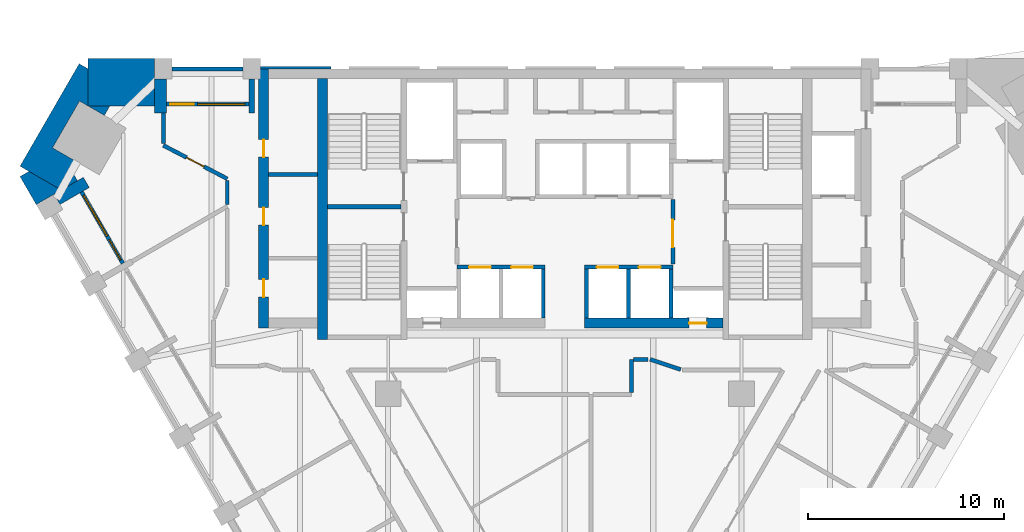
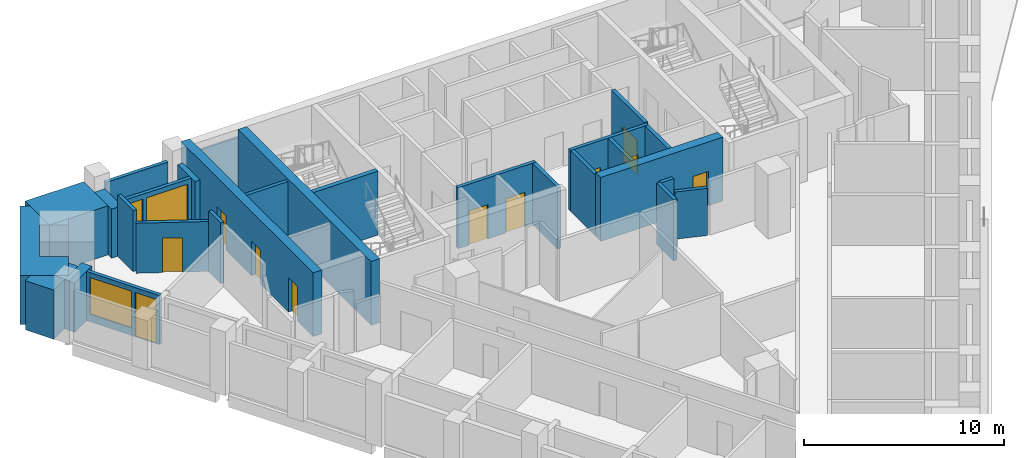
# One storey, part 5 of 10: 29 walls, 12 doors, 2 windows, 14 openings.
"""IFC4 building model written with IfcOpenShell, lengths in metres."""

from ifc_helpers import new_model, si_unit, direction, frame, frame_2d, origin, place, context, subcontext, project, spatial, polyline, rectangle, outline, extrude, material, layer, layer_set, type_object, element, fill, save


model = new_model("IFC4")

# Units and contexts
model_context = context("Model", 3, precision=1e-05, world=origin(), true_north=direction((0.0, 1.0)))
body_context = subcontext(model_context, "Body", "Model", "MODEL_VIEW")
ifc_project = project(units=[si_unit("LENGTHUNIT", "METRE"), si_unit("AREAUNIT", "SQUARE_METRE"), si_unit("VOLUMEUNIT", "CUBIC_METRE"), si_unit("PLANEANGLEUNIT", "RADIAN"), si_unit("MASSUNIT", "GRAM", prefix="KILO")], contexts=[model_context])

# Site, building, storey
site_placement = place(None, origin())
site = spatial("IfcSite", under=ifc_project, at=site_placement, CompositionType="ELEMENT")
building_placement = place(site_placement, origin())
building = spatial("IfcBuilding", under=site, at=building_placement, Name="Calabash Gate Tower", CompositionType="ELEMENT")
storey_placement = place(building_placement, frame((0.0, 0.0, 144.60009765625)))
storey = spatial("IfcBuildingStorey", under=building, at=storey_placement, Name="L33", CompositionType="ELEMENT", Elevation=144.60009765625)

# Walls
ifc_material_1 = material(Name="Terracotta brick masonry, exposed face", Category="masonry")
ifc_layer_1 = layer(ifc_material_1, 2.425048828125)
ifc_layer_set_1 = layer_set([ifc_layer_1], Name="Brick corner mass wall 2425")
wall_type_1 = type_object("IfcWallType", Name="Brick corner mass wall 2425", PredefinedType="SOLIDWALL", material=ifc_layer_set_1)
wall_1_placement = place(storey_placement, origin())
element("IfcWall", 1, at=wall_1_placement, inside=storey, type_object=wall_type_1, Name="Brick corner pier S09 4a", PredefinedType="SOLIDWALL", context=body_context, shape_type="SweptSolid", body=[
    extrude(outline(polyline([(-24.280517578125, 17.152587890625), (-20.90478515625, 17.152587890625), (-20.90478515625, 19.57763671875), (-24.28955078125, 19.57763671875), (-24.28955078125, 17.15771484375), (-24.280517578125, 17.152587890625)])), origin(), (0.0, 0.0, 1.0), 3.0),
])
wall_2_placement = place(storey_placement, origin())
element("IfcWall", 2, at=wall_2_placement, inside=storey, type_object=wall_type_1, Name="Brick corner pier S09 4ba", PredefinedType="SOLIDWALL", context=body_context, shape_type="SweptSolid", body=[
    extrude(outline(polyline([(-24.839599609375, 14.2998046875), (-26.100341796875, 15.02783203125), (-24.725341796875, 17.4091796875), (-24.28955078125, 17.15771484375), (-24.28955078125, 19.052490234375), (-24.744140625, 19.31494140625), (-27.759765625, 14.091552734375), (-25.65966796875, 12.879150390625), (-24.839599609375, 14.2998046875)])), origin(), (0.0, 0.0, 1.0), 3.0),
])
wall_3_placement = place(storey_placement, origin())
element("IfcWall", 3, at=wall_3_placement, inside=storey, type_object=wall_type_1, Name="Brick corner pier S09 4bb", PredefinedType="SOLIDWALL", context=body_context, shape_type="SweptSolid", body=[
    extrude(outline(polyline([(-23.192626953125, 17.152587890625), (-24.280517578125, 17.152587890625), (-23.464599609375, 16.681396484375), (-23.192626953125, 17.152587890625)])), origin(), (0.0, 0.0, 1.0), 3.0),
])
wall_4_placement = place(storey_placement, origin())
element("IfcWall", 4, at=wall_4_placement, inside=storey, type_object=wall_type_1, Name="Brick corner pier S09 4c", PredefinedType="SOLIDWALL", context=body_context, shape_type="SweptSolid", body=[
    extrude(outline(polyline([(-24.83447265625, 13.349853515625), (-25.111328125, 13.8291015625), (-25.65966796875, 12.879150390625), (-27.30517578125, 13.8291015625), (-27.759765625, 13.566650390625), (-26.9345703125, 12.13720703125), (-24.83447265625, 13.349853515625)])), origin(), (0.0, 0.0, 1.0), 3.0),
])
ifc_material_2 = material(Name="Terracotta brick masonry, exposed face", Category="masonry")
ifc_layer_2 = layer(ifc_material_2, 0.300048828125)
ifc_layer_set_2 = layer_set([ifc_layer_2], Name="Brick loggia cheek wall 300")
wall_type_2 = type_object("IfcWallType", Name="Brick loggia cheek wall 300", PredefinedType="SOLIDWALL", material=ifc_layer_set_2)
wall_5_placement = place(storey_placement, frame((-25.875244140625, 12.402587890625, 0.0), z_axis=(0.0, 0.0, 1.0), x_axis=(0.866074815912, 0.499914405916, 0.0)))
element("IfcWall", 5, at=wall_5_placement, inside=storey, type_object=wall_type_2, Name="Loggia cheek S09 SW0.0", PredefinedType="SOLIDWALL", context=body_context, shape_type="SweptSolid", body=[
    extrude(rectangle(XDim=1.724853515625, YDim=0.60009765625, at=frame_2d((0.8623046875, 0.0))), origin(), (0.0, 0.0, 1.0), 3.0),
])
wall_6_placement = place(storey_placement, origin())
element("IfcWall", 6, at=wall_6_placement, inside=storey, type_object=wall_type_2, Name="Loggia cheek S09 N6.8", PredefinedType="SOLIDWALL", context=body_context, shape_type="SweptSolid", body=[
    extrude(outline(polyline([(-15.8046875, 16.802490234375), (-15.8046875, 18.527587890625), (-16.104736328125, 18.527587890625), (-16.104736328125, 16.802490234375), (-15.8046875, 16.802490234375)])), origin(), (0.0, 0.0, 1.0), 3.0),
])
wall_7_placement = place(storey_placement, origin())
element("IfcWall", 7, at=wall_7_placement, inside=storey, type_object=wall_type_2, Name="Loggia cheek S09 N6.9", PredefinedType="SOLIDWALL", context=body_context, shape_type="SweptSolid", body=[
    extrude(outline(polyline([(-20.90478515625, 18.527587890625), (-20.90478515625, 16.802490234375), (-20.3046875, 16.802490234375), (-20.3046875, 18.527587890625), (-20.90478515625, 18.527587890625)])), origin(), (0.0, 0.0, 1.0), 3.0),
])
ifc_material_3 = material(Name="Gypsum board on steel studs, mineral wool", Category="steel")
ifc_layer_3 = layer(ifc_material_3, 0.199951171875)
ifc_layer_set_3 = layer_set([ifc_layer_3], Name="Core partition 200 gypsum board")
wall_type_3 = type_object("IfcWallType", Name="Core partition 200 gypsum board", PredefinedType="PARTITIONING", material=ifc_layer_set_3)
wall_8_placement = place(storey_placement, frame((-15.10009765625, 13.672607421875, 0.0), z_axis=(0.0, 0.0, 1.0), x_axis=(1.0, 0.0, 0.0)))
element("IfcWall", 8, at=wall_8_placement, inside=storey, type_object=wall_type_3, Name="Core partition", PredefinedType="PARTITIONING", context=body_context, shape_type="SweptSolid", body=[
    extrude(rectangle(XDim=2.5, YDim=0.199951171875, at=frame_2d((1.25, 0.0))), origin(), (0.0, 0.0, 1.0), 3.72998046875),
])
ifc_material_4 = material(Name="Concrete C70/85", Category="concrete")
ifc_layer_4 = layer(ifc_material_4, 0.25)
ifc_layer_set_4 = layer_set([ifc_layer_4], Name="Core wall 250 Concrete C70/85")
wall_type_4 = type_object("IfcWallType", Name="Core wall 250 Concrete C70/85", PredefinedType="SHEAR", material=ifc_layer_set_4)
wall_9_placement = place(storey_placement, frame((-12.10009765625, 12.027587890625, 0.0), z_axis=(0.0, 0.0, 1.0), x_axis=(1.0, 0.0, 0.0)))
element("IfcWall", 9, at=wall_9_placement, inside=storey, type_object=wall_type_4, Name="Core wall Z3-MIDW L33", PredefinedType="SHEAR", context=body_context, shape_type="SweptSolid", body=[
    extrude(rectangle(XDim=3.75, YDim=0.25, at=frame_2d((1.875, 0.0))), origin(), (0.0, 0.0, 1.0), 3.89990234375),
])
ifc_material_5 = material(Name="Concrete C70/85", Category="concrete")
ifc_layer_5 = layer(ifc_material_5, 0.5)
ifc_layer_set_5 = layer_set([ifc_layer_5], Name="Core wall 500 Concrete C70/85")
wall_type_5 = type_object("IfcWallType", Name="Core wall 500 Concrete C70/85", PredefinedType="SHEAR", material=ifc_layer_set_5)
wall_10_placement = place(storey_placement, frame((-12.35009765625, 5.252685546875, 0.0), z_axis=(0.0, 0.0, 1.0), x_axis=(0.0, 1.0, 0.0)))
element("IfcWall", 10, at=wall_10_placement, inside=storey, type_object=wall_type_5, Name="Core wall Z3-COLW L33", PredefinedType="SHEAR", context=body_context, shape_type="SweptSolid", body=[
    extrude(rectangle(XDim=13.2998046875, YDim=0.5, at=frame_2d((6.64990234375, 0.0))), origin(), (0.0, 0.0, 1.0), 3.89990234375),
])

# Wall, opening, door
wall_11_placement = place(storey_placement, frame((1.0, 6.1025390625, 0.0), z_axis=(0.0, 0.0, 1.0), x_axis=(1.0, 0.0, 0.0)))
wall_11 = element("IfcWall", 11, at=wall_11_placement, inside=storey, type_object=wall_type_5, Name="Core wall Z3-SB L33", PredefinedType="SHEAR", context=body_context, shape_type="SweptSolid", body=[
    extrude(rectangle(XDim=7.050048828125, YDim=0.5, at=frame_2d((3.52490234375, 0.0))), origin(), (0.0, 0.0, 1.0), 3.89990234375),
])
opening_1_placement = place(wall_11_placement, frame((5.324951171875, 0.0, 0.0)))
opening_1 = element("IfcOpeningElement", 12, at=opening_1_placement, cuts=wall_11, Name="Opening O1-014", PredefinedType="OPENING", context=body_context, shape_type="SweptSolid", body=[
    extrude(rectangle(XDim=0.89990234375, YDim=2.10009765625, at=frame_2d((0.449951171875, 1.050048828125))), frame((0.0, 0.260009765625, 0.0), z_axis=(0.0, -1.0, 0.0), x_axis=(1.0, 0.0, 0.0)), (0.0, 0.0, 1.0), 0.52001953125),
])
ifc_material_6 = material(Name="Steel fire door set with fire-resisting glazing", Category="steel")
door_type_1 = type_object("IfcDoorType", Name="Fire door D07 900x2100 FD90", OperationType="NOTDEFINED", PredefinedType="DOOR", material=ifc_material_6)
door_1_placement = place(opening_1_placement, origin())
door_1 = element("IfcDoor", 13, at=door_1_placement, inside=storey, type_object=door_type_1, Name="Mechanical Riser E door", OperationType="SINGLE_SWING_RIGHT", OverallHeight=2.10009765625, OverallWidth=0.89990234375, PredefinedType="DOOR", context=body_context, shape_type="SweptSolid", body=[
    extrude(rectangle(XDim=0.89990234375, YDim=2.10009765625, at=frame_2d((0.449951171875, 1.050048828125))), frame((0.0, 0.02490234375, 0.0), z_axis=(0.0, -1.0, 0.0), x_axis=(1.0, 0.0, 0.0)), (0.0, 0.0, 1.0), 0.050048828125),
])
fill(opening_1, door_1)

# Wall, openings, doors
wall_12_placement = place(storey_placement, frame((-15.35009765625, 5.8525390625, 0.0), z_axis=(0.0, 0.0, 1.0), x_axis=(0.0, 1.0, 0.0)))
wall_12 = element("IfcWall", 14, at=wall_12_placement, inside=storey, type_object=wall_type_5, Name="Core wall Z3-ENDW L33", PredefinedType="SHEAR", context=body_context, shape_type="SweptSolid", body=[
    extrude(rectangle(XDim=13.199951171875, YDim=0.5, at=frame_2d((6.60009765625, 0.0))), origin(), (0.0, 0.0, 1.0), 3.89990234375),
])
opening_2_placement = place(wall_12_placement, frame((1.574951171875, 0.0, 0.0)))
opening_2 = element("IfcOpeningElement", 15, at=opening_2_placement, cuts=wall_12, Name="Opening O1-004", PredefinedType="OPENING", context=body_context, shape_type="SweptSolid", body=[
    extrude(rectangle(XDim=0.89990234375, YDim=2.10009765625, at=frame_2d((0.449951171875, 1.050048828125))), frame((0.0, 0.260009765625, 0.0), z_axis=(0.0, -1.0, 0.0), x_axis=(1.0, 0.0, 0.0)), (0.0, 0.0, 1.0), 0.52001953125),
])
opening_3_placement = place(wall_12_placement, frame((5.235107421875, 0.0, 0.0)))
opening_3 = element("IfcOpeningElement", 16, at=opening_3_placement, cuts=wall_12, Name="Opening O1-005", PredefinedType="OPENING", context=body_context, shape_type="SweptSolid", body=[
    extrude(rectangle(XDim=0.89990234375, YDim=2.10009765625, at=frame_2d((0.449951171875, 1.050048828125))), frame((0.0, 0.260009765625, 0.0), z_axis=(0.0, -1.0, 0.0), x_axis=(1.0, 0.0, 0.0)), (0.0, 0.0, 1.0), 0.52001953125),
])
opening_4_placement = place(wall_12_placement, frame((8.697509765625, 0.0, 0.0)))
opening_4 = element("IfcOpeningElement", 17, at=opening_4_placement, cuts=wall_12, Name="Opening O1-006", PredefinedType="OPENING", context=body_context, shape_type="SweptSolid", body=[
    extrude(rectangle(XDim=0.89990234375, YDim=2.10009765625, at=frame_2d((0.449951171875, 1.050048828125))), frame((0.0, 0.260009765625, 0.0), z_axis=(0.0, -1.0, 0.0), x_axis=(1.0, 0.0, 0.0)), (0.0, 0.0, 1.0), 0.52001953125),
])
ifc_material_7 = material(Name="Steel fire door set with fire-resisting glazing", Category="steel")
door_type_2 = type_object("IfcDoorType", Name="Fire door D06 900x2100 FD60", OperationType="NOTDEFINED", PredefinedType="DOOR", material=ifc_material_7)
door_2_placement = place(opening_2_placement, origin())
door_2 = element("IfcDoor", 18, at=door_2_placement, inside=storey, type_object=door_type_2, Name="Men's WC door", OperationType="SINGLE_SWING_LEFT", OverallHeight=2.10009765625, OverallWidth=0.89990234375, PredefinedType="DOOR", context=body_context, shape_type="SweptSolid", body=[
    extrude(rectangle(XDim=0.89990234375, YDim=2.10009765625, at=frame_2d((0.449951171875, 1.050048828125))), frame((0.0, 0.02490234375, 0.0), z_axis=(0.0, -1.0, 0.0), x_axis=(1.0, 0.0, 0.0)), (0.0, 0.0, 1.0), 0.050048828125),
])
fill(opening_2, door_2)
door_3_placement = place(opening_3_placement, origin())
door_3 = element("IfcDoor", 19, at=door_3_placement, inside=storey, type_object=door_type_2, Name="Women's WC door", OperationType="SINGLE_SWING_LEFT", OverallHeight=2.10009765625, OverallWidth=0.89990234375, PredefinedType="DOOR", context=body_context, shape_type="SweptSolid", body=[
    extrude(rectangle(XDim=0.89990234375, YDim=2.10009765625, at=frame_2d((0.449951171875, 1.050048828125))), frame((0.0, 0.02490234375, 0.0), z_axis=(0.0, -1.0, 0.0), x_axis=(1.0, 0.0, 0.0)), (0.0, 0.0, 1.0), 0.050048828125),
])
fill(opening_3, door_3)
door_4_placement = place(opening_4_placement, origin())
door_4 = element("IfcDoor", 20, at=door_4_placement, inside=storey, type_object=door_type_2, Name="Tenant Pantry door", OperationType="SINGLE_SWING_LEFT", OverallHeight=2.10009765625, OverallWidth=0.89990234375, PredefinedType="DOOR", context=body_context, shape_type="SweptSolid", body=[
    extrude(rectangle(XDim=0.89990234375, YDim=2.10009765625, at=frame_2d((0.449951171875, 1.050048828125))), frame((0.0, 0.02490234375, 0.0), z_axis=(0.0, -1.0, 0.0), x_axis=(1.0, 0.0, 0.0)), (0.0, 0.0, 1.0), 0.050048828125),
])
fill(opening_4, door_4)

# Walls
ifc_material_8 = material(Name="Gypsum board on steel studs, mineral wool", Category="steel")
ifc_layer_6 = layer(ifc_material_8, 0.199951171875)
ifc_layer_set_6 = layer_set([ifc_layer_6], Name="Partition 200 gypsum board EI 60")
wall_type_6 = type_object("IfcWallType", Name="Partition 200 gypsum board EI 60", PredefinedType="PARTITIONING", material=ifc_layer_set_6)
wall_13_placement = place(storey_placement, frame((4.34228515625, 4.25244140625, 0.0), z_axis=(0.0, 0.0, 1.0), x_axis=(0.948668476379, -0.316272227557, 0.0)))
element("IfcWall", 21, at=wall_13_placement, inside=storey, type_object=wall_type_6, Name="Partition", PredefinedType="PARTITIONING", context=body_context, shape_type="SweptSolid", body=[
    extrude(rectangle(XDim=1.647216796875, YDim=0.199951171875, at=frame_2d((0.82373046875, 0.0))), origin(), (0.0, 0.0, 1.0), 2.884033203125),
])
wall_14_placement = place(storey_placement, frame((3.400146484375, 2.552490234375, 0.0), z_axis=(0.0, 0.0, 1.0), x_axis=(0.001150250857, 0.999999338461, 0.0)))
element("IfcWall", 22, at=wall_14_placement, inside=storey, type_object=wall_type_6, Name="Partition", PredefinedType="PARTITIONING", context=body_context, shape_type="SweptSolid", body=[
    extrude(rectangle(XDim=1.697998046875, YDim=0.199951171875, at=frame_2d((0.84912109375, 0.0))), origin(), (0.0, 0.0, 1.0), 3.72998046875),
])
wall_15_placement = place(storey_placement, frame((3.501953125, 4.250732421875, 0.0), z_axis=(0.0, 0.0, 1.0), x_axis=(0.999998041999, 0.001978887946, 0.0)))
element("IfcWall", 23, at=wall_15_placement, inside=storey, type_object=wall_type_6, Name="Partition", PredefinedType="PARTITIONING", context=body_context, shape_type="SweptSolid", body=[
    extrude(rectangle(XDim=0.740234375, YDim=0.199951171875, at=frame_2d((0.3701171875, 0.0))), origin(), (0.0, 0.0, 1.0), 3.72998046875),
])
wall_16_placement = place(storey_placement, frame((-17.201904296875, 12.140869140625, 0.0), z_axis=(0.0, 0.0, 1.0), x_axis=(0.001007657691, 0.999999492313, 0.0)))
element("IfcWall", 24, at=wall_16_placement, inside=storey, type_object=wall_type_6, Name="Partition", PredefinedType="PARTITIONING", context=body_context, shape_type="SweptSolid", body=[
    extrude(rectangle(XDim=1.21142578125, YDim=0.199951171875, at=frame_2d((0.605712890625, 0.0))), origin(), (0.0, 0.0, 1.0), 3.72998046875),
])

# Wall, opening, door
wall_17_placement = place(storey_placement, frame((-20.455078125, 15.15234375, 0.0), z_axis=(0.0, 0.0, 1.0), x_axis=(0.886374912087, -0.462968157892, 0.0)))
wall_17 = element("IfcWall", 25, at=wall_17_placement, inside=storey, type_object=wall_type_6, Name="Partition", PredefinedType="PARTITIONING", context=body_context, shape_type="SweptSolid", body=[
    extrude(rectangle(XDim=3.671875, YDim=0.199951171875, at=frame_2d((1.8359375, 0.0))), origin(), (0.0, 0.0, 1.0), 3.0517578125),
])
opening_5_placement = place(wall_17_placement, frame((1.3359375, 0.0, 0.0)))
opening_5 = element("IfcOpeningElement", 26, at=opening_5_placement, cuts=wall_17, Name="Opening 33-35-013", PredefinedType="OPENING", context=body_context, shape_type="SweptSolid", body=[
    extrude(rectangle(XDim=1.0, YDim=2.10009765625, at=frame_2d((0.5, 1.050048828125))), frame((0.0, 0.10986328125, 0.0), z_axis=(0.0, -1.0, 0.0), x_axis=(1.0, 0.0, 0.0)), (0.0, 0.0, 1.0), 0.219970703125),
])
ifc_material_9 = material(Name="Steel fire door set with fire-resisting glazing", Category="steel")
door_type_3 = type_object("IfcDoorType", Name="LD2 Meeting room door 1000x2100", OperationType="NOTDEFINED", PredefinedType="DOOR", material=ifc_material_9)
door_5_placement = place(opening_5_placement, origin())
door_5 = element("IfcDoor", 27, at=door_5_placement, inside=storey, type_object=door_type_3, Name="Meeting room door", OperationType="SINGLE_SWING_RIGHT", OverallHeight=2.10009765625, OverallWidth=1.0, PredefinedType="DOOR", context=body_context, shape_type="SweptSolid", body=[
    extrude(rectangle(XDim=1.0, YDim=2.10009765625, at=frame_2d((0.5, 1.050048828125))), frame((0.0, 0.02490234375, 0.0), z_axis=(0.0, -1.0, 0.0), x_axis=(1.0, 0.0, 0.0)), (0.0, 0.0, 1.0), 0.050048828125),
])
fill(opening_5, door_5)

# Walls
wall_18_placement = place(storey_placement, frame((-20.455078125, 16.802490234375, 0.0), z_axis=(0.0, 0.0, 1.0), x_axis=(0.0, -1.0, 0.0)))
element("IfcWall", 28, at=wall_18_placement, inside=storey, type_object=wall_type_6, Name="Partition", PredefinedType="PARTITIONING", context=body_context, shape_type="SweptSolid", body=[
    extrude(rectangle(XDim=1.55029296875, YDim=0.199951171875, at=frame_2d((0.775146484375, 0.0))), origin(), (0.0, 0.0, 1.0), 3.72998046875),
])
ifc_material_10 = material(Name="Concrete C40/50", Category="concrete")
ifc_layer_7 = layer(ifc_material_10, 0.199951171875)
ifc_layer_set_7 = layer_set([ifc_layer_7], Name="Shaft wall 200 Concrete C40/50")
wall_type_7 = type_object("IfcWallType", Name="Shaft wall 200 Concrete C40/50", PredefinedType="SOLIDWALL", material=ifc_layer_set_7)
for number, where, z_axis, x_axis, name in (
    (29, (-1.10009765625, 6.3525390625, 0.0), (0.0, 0.0, 1.0), (0.0, 1.0, 0.0), "Shaft wall"),
    (30, (1.10009765625, 6.3525390625, 0.0), (0.0, 0.0, 1.0), (0.0, 1.0, 0.0), "Shaft wall"),
    (31, (3.25, 6.3525390625, 0.0), (0.0, 0.0, 1.0), (0.0, 1.0, 0.0), "Shaft wall"),
    (32, (5.39990234375, 6.3525390625, 0.0), (0.0, 0.0, 1.0), (0.0, 1.0, 0.0), "Shaft wall"),
):
    element("IfcWall", number, at=place(storey_placement, frame(where, z_axis=z_axis, x_axis=x_axis)), inside=storey, type_object=wall_type_7, Name=name, PredefinedType="SOLIDWALL", context=body_context, shape_type="SweptSolid", body=[
        extrude(rectangle(XDim=2.5, YDim=0.199951171875, at=frame_2d((1.25, 0.0))), origin(), (0.0, 0.0, 1.0), 3.72998046875),
    ])

# Wall, openings, doors
wall_19_placement = place(storey_placement, frame((-5.5, 8.95263671875, 0.0), z_axis=(0.0, 0.0, 1.0), x_axis=(1.0, 0.0, 0.0)))
wall_19 = element("IfcWall", 33, at=wall_19_placement, inside=storey, type_object=wall_type_7, Name="Shaft wall", PredefinedType="SOLIDWALL", context=body_context, shape_type="SweptSolid", body=[
    extrude(rectangle(XDim=4.5, YDim=0.199951171875, at=frame_2d((2.25, 0.0))), origin(), (0.0, 0.0, 1.0), 3.72998046875),
])
opening_6_placement = place(wall_19_placement, frame((0.625, 0.0, 0.0)))
opening_6 = element("IfcOpeningElement", 34, at=opening_6_placement, cuts=wall_19, Name="Opening LD-HR1", PredefinedType="OPENING", context=body_context, shape_type="SweptSolid", body=[
    extrude(rectangle(XDim=1.10009765625, YDim=2.10009765625, at=frame_2d((0.550048828125, 1.050048828125))), frame((0.0, 0.10986328125, 0.0), z_axis=(0.0, -1.0, 0.0), x_axis=(1.0, 0.0, 0.0)), (0.0, 0.0, 1.0), 0.219970703125),
])
opening_7_placement = place(wall_19_placement, frame((2.77490234375, 0.0, 0.0)))
opening_7 = element("IfcOpeningElement", 35, at=opening_7_placement, cuts=wall_19, Name="Opening LD-HR2", PredefinedType="OPENING", context=body_context, shape_type="SweptSolid", body=[
    extrude(rectangle(XDim=1.10009765625, YDim=2.10009765625, at=frame_2d((0.550048828125, 1.050048828125))), frame((0.0, 0.10986328125, 0.0), z_axis=(0.0, -1.0, 0.0), x_axis=(1.0, 0.0, 0.0)), (0.0, 0.0, 1.0), 0.219970703125),
])
ifc_material_11 = material(Name="Stainless steel sliding door leaves", Category="steel")
door_type_4 = type_object("IfcDoorType", Name="Lift landing door LS1 1100x2100 FD90", OperationType="DOUBLE_DOOR_SLIDING", PredefinedType="DOOR", material=ifc_material_11)
door_6_placement = place(opening_6_placement, origin())
door_6 = element("IfcDoor", 36, at=door_6_placement, inside=storey, type_object=door_type_4, Name="Lift landing door HR1", OperationType="DOUBLE_DOOR_SLIDING", OverallHeight=2.10009765625, OverallWidth=1.10009765625, PredefinedType="DOOR", context=body_context, shape_type="SweptSolid", body=[
    extrude(rectangle(XDim=1.10009765625, YDim=2.10009765625, at=frame_2d((0.550048828125, 1.050048828125))), frame((0.0, 0.02490234375, 0.0), z_axis=(0.0, -1.0, 0.0), x_axis=(1.0, 0.0, 0.0)), (0.0, 0.0, 1.0), 0.050048828125),
])
fill(opening_6, door_6)
door_7_placement = place(opening_7_placement, origin())
door_7 = element("IfcDoor", 37, at=door_7_placement, inside=storey, type_object=door_type_4, Name="Lift landing door HR2", OperationType="DOUBLE_DOOR_SLIDING", OverallHeight=2.10009765625, OverallWidth=1.10009765625, PredefinedType="DOOR", context=body_context, shape_type="SweptSolid", body=[
    extrude(rectangle(XDim=1.10009765625, YDim=2.10009765625, at=frame_2d((0.550048828125, 1.050048828125))), frame((0.0, 0.02490234375, 0.0), z_axis=(0.0, -1.0, 0.0), x_axis=(1.0, 0.0, 0.0)), (0.0, 0.0, 1.0), 0.050048828125),
])
fill(opening_7, door_7)

wall_20_placement = place(storey_placement, frame((1.0, 8.95263671875, 0.0), z_axis=(0.0, 0.0, 1.0), x_axis=(1.0, 0.0, 0.0)))
wall_20 = element("IfcWall", 38, at=wall_20_placement, inside=storey, type_object=wall_type_7, Name="Shaft wall", PredefinedType="SOLIDWALL", context=body_context, shape_type="SweptSolid", body=[
    extrude(rectangle(XDim=4.5, YDim=0.199951171875, at=frame_2d((2.25, 0.0))), origin(), (0.0, 0.0, 1.0), 3.72998046875),
])
opening_8_placement = place(wall_20_placement, frame((0.625, 0.0, 0.0)))
opening_8 = element("IfcOpeningElement", 39, at=opening_8_placement, cuts=wall_20, Name="Opening LD-HR3", PredefinedType="OPENING", context=body_context, shape_type="SweptSolid", body=[
    extrude(rectangle(XDim=1.10009765625, YDim=2.10009765625, at=frame_2d((0.550048828125, 1.050048828125))), frame((0.0, 0.10986328125, 0.0), z_axis=(0.0, -1.0, 0.0), x_axis=(1.0, 0.0, 0.0)), (0.0, 0.0, 1.0), 0.219970703125),
])
opening_9_placement = place(wall_20_placement, frame((2.77490234375, 0.0, 0.0)))
opening_9 = element("IfcOpeningElement", 40, at=opening_9_placement, cuts=wall_20, Name="Opening LD-HR4", PredefinedType="OPENING", context=body_context, shape_type="SweptSolid", body=[
    extrude(rectangle(XDim=1.10009765625, YDim=2.10009765625, at=frame_2d((0.550048828125, 1.050048828125))), frame((0.0, 0.10986328125, 0.0), z_axis=(0.0, -1.0, 0.0), x_axis=(1.0, 0.0, 0.0)), (0.0, 0.0, 1.0), 0.219970703125),
])
door_8_placement = place(opening_8_placement, origin())
door_8 = element("IfcDoor", 41, at=door_8_placement, inside=storey, type_object=door_type_4, Name="Lift landing door HR3", OperationType="DOUBLE_DOOR_SLIDING", OverallHeight=2.10009765625, OverallWidth=1.10009765625, PredefinedType="DOOR", context=body_context, shape_type="SweptSolid", body=[
    extrude(rectangle(XDim=1.10009765625, YDim=2.10009765625, at=frame_2d((0.550048828125, 1.050048828125))), frame((0.0, 0.02490234375, 0.0), z_axis=(0.0, -1.0, 0.0), x_axis=(1.0, 0.0, 0.0)), (0.0, 0.0, 1.0), 0.050048828125),
])
fill(opening_8, door_8)
door_9_placement = place(opening_9_placement, origin())
door_9 = element("IfcDoor", 42, at=door_9_placement, inside=storey, type_object=door_type_4, Name="Lift landing door HR4", OperationType="DOUBLE_DOOR_SLIDING", OverallHeight=2.10009765625, OverallWidth=1.10009765625, PredefinedType="DOOR", context=body_context, shape_type="SweptSolid", body=[
    extrude(rectangle(XDim=1.10009765625, YDim=2.10009765625, at=frame_2d((0.550048828125, 1.050048828125))), frame((0.0, 0.02490234375, 0.0), z_axis=(0.0, -1.0, 0.0), x_axis=(1.0, 0.0, 0.0)), (0.0, 0.0, 1.0), 0.050048828125),
])
fill(opening_9, door_9)

# Wall, opening, door
wall_21_placement = place(storey_placement, frame((5.5, 9.1025390625, 0.0), z_axis=(0.0, 0.0, 1.0), x_axis=(0.0, 1.0, 0.0)))
wall_21 = element("IfcWall", 43, at=wall_21_placement, inside=storey, type_object=wall_type_7, Name="Shaft wall", PredefinedType="SOLIDWALL", context=body_context, shape_type="SweptSolid", body=[
    extrude(rectangle(XDim=3.300048828125, YDim=0.199951171875, at=frame_2d((1.64990234375, 0.0))), origin(), (0.0, 0.0, 1.0), 3.72998046875),
])
opening_10_placement = place(wall_21_placement, frame((0.85009765625, 0.0, 0.0)))
opening_10 = element("IfcOpeningElement", 44, at=opening_10_placement, cuts=wall_21, Name="Opening O1-008", PredefinedType="OPENING", context=body_context, shape_type="SweptSolid", body=[
    extrude(rectangle(XDim=1.39990234375, YDim=2.10009765625, at=frame_2d((0.699951171875, 1.050048828125))), frame((0.0, 0.10986328125, 0.0), z_axis=(0.0, -1.0, 0.0), x_axis=(1.0, 0.0, 0.0)), (0.0, 0.0, 1.0), 0.219970703125),
])
ifc_material_12 = material(Name="Steel fire door set with fire-resisting glazing", Category="steel")
door_type_5 = type_object("IfcDoorType", Name="Fire door D05 1400x2100 FD90", OperationType="NOTDEFINED", PredefinedType="DOOR", material=ifc_material_12)
door_10_placement = place(opening_10_placement, origin())
door_10 = element("IfcDoor", 45, at=door_10_placement, inside=storey, type_object=door_type_5, Name="Firefighting Lobby E door", OperationType="SINGLE_SWING_LEFT", OverallHeight=2.10009765625, OverallWidth=1.39990234375, PredefinedType="DOOR", context=body_context, shape_type="SweptSolid", body=[
    extrude(rectangle(XDim=1.39990234375, YDim=2.10009765625, at=frame_2d((0.699951171875, 1.050048828125))), frame((0.0, 0.02490234375, 0.0), z_axis=(0.0, -1.0, 0.0), x_axis=(1.0, 0.0, 0.0)), (0.0, 0.0, 1.0), 0.050048828125),
])
fill(opening_10, door_10)

# Walls
ifc_material_13 = material(Name="Terracotta brick masonry, perforated", Category="masonry")
ifc_layer_8 = layer(ifc_material_13, 0.199951171875)
ifc_layer_set_8 = layer_set([ifc_layer_8], Name="Terracotta jaali screen A")
wall_type_8 = type_object("IfcWallType", Name="Terracotta jaali screen A", PredefinedType="SOLIDWALL", material=ifc_layer_set_8)
wall_22_placement = place(storey_placement, origin())
element("IfcWall", 46, at=wall_22_placement, inside=storey, type_object=wall_type_8, Name="SCREEN A S09 N6.9", PredefinedType="SOLIDWALL", context=body_context, shape_type="SweptSolid", body=[
    extrude(outline(polyline([(-16.40478515625, 19.152587890625), (-20.0029296875, 19.152587890625), (-20.0029296875, 18.95263671875), (-16.40478515625, 18.95263671875), (-16.40478515625, 19.152587890625)])), origin(), (0.0, 0.0, 1.0), 3.0),
])
ifc_material_14 = material(Name="Terracotta louvre blades in an aluminium frame", Category="masonry")
ifc_layer_9 = layer(ifc_material_14, 0.1201171875)
ifc_layer_set_9 = layer_set([ifc_layer_9], Name="Terracotta vent louvre cladding 120")
wall_type_9 = type_object("IfcWallType", Name="Terracotta vent louvre cladding 120", PredefinedType="ELEMENTEDWALL", material=ifc_layer_set_9)
wall_23_placement = place(storey_placement, origin())
element("IfcWall", 47, at=wall_23_placement, inside=storey, type_object=wall_type_9, Name="Vent louvre cladding S09 N6.8", PredefinedType="ELEMENTEDWALL", context=body_context, shape_type="SweptSolid", body=[
    extrude(outline(polyline([(-11.90478515625, 19.052490234375), (-11.90478515625, 19.172607421875), (-15.5029296875, 19.172607421875), (-15.5029296875, 19.052490234375), (-11.90478515625, 19.052490234375)])), origin(), (0.0, 0.0, 1.0), 3.0),
])

# Wall, openings, door, window
ifc_material_15 = material(Name="Aluminium framed window wall with insulated spandrel", Category="aluminium")
ifc_layer_10 = layer(ifc_material_15, 0.199951171875)
ifc_layer_set_10 = layer_set([ifc_layer_10], Name="Window wall 200")
wall_type_10 = type_object("IfcWallType", Name="Window wall 200", PredefinedType="ELEMENTEDWALL", material=ifc_layer_set_10)
wall_24_placement = place(storey_placement, frame((-24.62109375, 12.7802734375, 0.0), z_axis=(0.0, 0.0, 1.0), x_axis=(0.499958946799, -0.866049104564, 0.0)))
wall_24 = element("IfcWall", 48, at=wall_24_placement, inside=storey, type_object=wall_type_10, Name="Window wall S09 SW0.1", PredefinedType="ELEMENTEDWALL", context=body_context, shape_type="SweptSolid", body=[
    extrude(rectangle(XDim=4.199951171875, YDim=0.199951171875, at=frame_2d((2.10009765625, 0.0))), origin(), (0.0, 0.0, 1.0), 3.0),
])
opening_11_placement = place(wall_24_placement, frame((0.199951171875, 0.0, 0.449951171875)))
opening_11 = element("IfcOpeningElement", 49, at=opening_11_placement, cuts=wall_24, Name="Opening OW1", PredefinedType="OPENING", context=body_context, shape_type="SweptSolid", body=[
    extrude(rectangle(XDim=2.39990234375, YDim=2.25, at=frame_2d((1.199951171875, 1.125))), frame((0.0, 0.10986328125, 0.0), z_axis=(0.0, -1.0, 0.0), x_axis=(1.0, 0.0, 0.0)), (0.0, 0.0, 1.0), 0.219970703125),
])
opening_12_placement = place(wall_24_placement, frame((2.800048828125, 0.0, 0.0)))
opening_12 = element("IfcOpeningElement", 50, at=opening_12_placement, cuts=wall_24, Name="Opening O1-024", PredefinedType="OPENING", context=body_context, shape_type="SweptSolid", body=[
    extrude(rectangle(XDim=1.199951171875, YDim=2.699951171875, at=frame_2d((0.60009765625, 1.35009765625))), frame((0.0, 0.10986328125, 0.0), z_axis=(0.0, -1.0, 0.0), x_axis=(1.0, 0.0, 0.0)), (0.0, 0.0, 1.0), 0.219970703125),
])
ifc_material_16 = material(Name="Anodised aluminium frame, bronze finish, impact-rated laminated clear glazing", Category="aluminium")
door_type_6 = type_object("IfcDoorType", Name="Loggia door DO1 1200x2700", OperationType="SLIDING_TO_LEFT", PredefinedType="DOOR", material=ifc_material_16)
door_11_placement = place(opening_12_placement, origin())
door_11 = element("IfcDoor", 51, at=door_11_placement, inside=storey, type_object=door_type_6, Name="Loggia door S09 SW0.1", OperationType="SINGLE_SWING_LEFT", OverallHeight=2.699951171875, OverallWidth=1.199951171875, PredefinedType="DOOR", context=body_context, shape_type="SweptSolid", body=[
    extrude(rectangle(XDim=1.199951171875, YDim=2.699951171875, at=frame_2d((0.60009765625, 1.35009765625))), frame((0.0, 0.02490234375, 0.0), z_axis=(0.0, -1.0, 0.0), x_axis=(1.0, 0.0, 0.0)), (0.0, 0.0, 1.0), 0.050048828125),
])
fill(opening_12, door_11)
ifc_material_17 = material(Name="Anodised aluminium frame, bronze finish, impact-rated laminated clear glazing", Category="aluminium")
window_type = type_object("IfcWindowType", Name="Window OW1 2400x2250", PartitioningType="DOUBLE_PANEL_VERTICAL", PredefinedType="WINDOW", material=ifc_material_17)
window_1_placement = place(opening_11_placement, origin())
window_1 = element("IfcWindow", 52, at=window_1_placement, inside=storey, type_object=window_type, Name="Window OW1 S09 SW0.1", OverallHeight=2.25, OverallWidth=2.39990234375, PartitioningType="SINGLE_PANEL", PredefinedType="WINDOW", context=body_context, shape_type="SweptSolid", body=[
    extrude(rectangle(XDim=2.39990234375, YDim=2.25, at=frame_2d((1.199951171875, 1.125))), frame((0.0, 0.030029296875, 0.0), z_axis=(0.0, -1.0, 0.0), x_axis=(1.0, 0.0, 0.0)), (0.0, 0.0, 1.0), 0.06005859375),
])
fill(opening_11, window_1)

wall_25_placement = place(storey_placement, frame((-16.104736328125, 17.25244140625, 0.0), z_axis=(0.0, 0.0, 1.0), x_axis=(-1.0, 0.0, 0.0)))
wall_25 = element("IfcWall", 53, at=wall_25_placement, inside=storey, type_object=wall_type_10, Name="Window wall S09 N6.9", PredefinedType="ELEMENTEDWALL", context=body_context, shape_type="SweptSolid", body=[
    extrude(rectangle(XDim=4.199951171875, YDim=0.199951171875, at=frame_2d((2.10009765625, 0.0))), origin(), (0.0, 0.0, 1.0), 3.0),
])
opening_13_placement = place(wall_25_placement, frame((0.199951171875, 0.0, 0.449951171875)))
opening_13 = element("IfcOpeningElement", 54, at=opening_13_placement, cuts=wall_25, Name="Opening OW1", PredefinedType="OPENING", context=body_context, shape_type="SweptSolid", body=[
    extrude(rectangle(XDim=2.39990234375, YDim=2.25, at=frame_2d((1.199951171875, 1.125))), frame((0.0, 0.10986328125, 0.0), z_axis=(0.0, -1.0, 0.0), x_axis=(1.0, 0.0, 0.0)), (0.0, 0.0, 1.0), 0.219970703125),
])
opening_14_placement = place(wall_25_placement, frame((2.800048828125, 0.0, 0.0)))
opening_14 = element("IfcOpeningElement", 55, at=opening_14_placement, cuts=wall_25, Name="Opening O1-021", PredefinedType="OPENING", context=body_context, shape_type="SweptSolid", body=[
    extrude(rectangle(XDim=1.199951171875, YDim=2.699951171875, at=frame_2d((0.60009765625, 1.35009765625))), frame((0.0, 0.10986328125, 0.0), z_axis=(0.0, -1.0, 0.0), x_axis=(1.0, 0.0, 0.0)), (0.0, 0.0, 1.0), 0.219970703125),
])
door_12_placement = place(opening_14_placement, origin())
door_12 = element("IfcDoor", 56, at=door_12_placement, inside=storey, type_object=door_type_6, Name="Loggia door S09 N6.9", OperationType="SINGLE_SWING_LEFT", OverallHeight=2.699951171875, OverallWidth=1.199951171875, PredefinedType="DOOR", context=body_context, shape_type="SweptSolid", body=[
    extrude(rectangle(XDim=1.199951171875, YDim=2.699951171875, at=frame_2d((0.60009765625, 1.35009765625))), frame((0.0, 0.02490234375, 0.0), z_axis=(0.0, -1.0, 0.0), x_axis=(1.0, 0.0, 0.0)), (0.0, 0.0, 1.0), 0.050048828125),
])
fill(opening_14, door_12)
window_2_placement = place(opening_13_placement, origin())
window_2 = element("IfcWindow", 57, at=window_2_placement, inside=storey, type_object=window_type, Name="Window OW1 S09 N6.9", OverallHeight=2.25, OverallWidth=2.39990234375, PartitioningType="SINGLE_PANEL", PredefinedType="WINDOW", context=body_context, shape_type="SweptSolid", body=[
    extrude(rectangle(XDim=2.39990234375, YDim=2.25, at=frame_2d((1.199951171875, 1.125))), frame((0.0, 0.030029296875, 0.0), z_axis=(0.0, -1.0, 0.0), x_axis=(1.0, 0.0, 0.0)), (0.0, 0.0, 1.0), 0.06005859375),
])
fill(opening_13, window_2)

save(model, "model.ifc")
